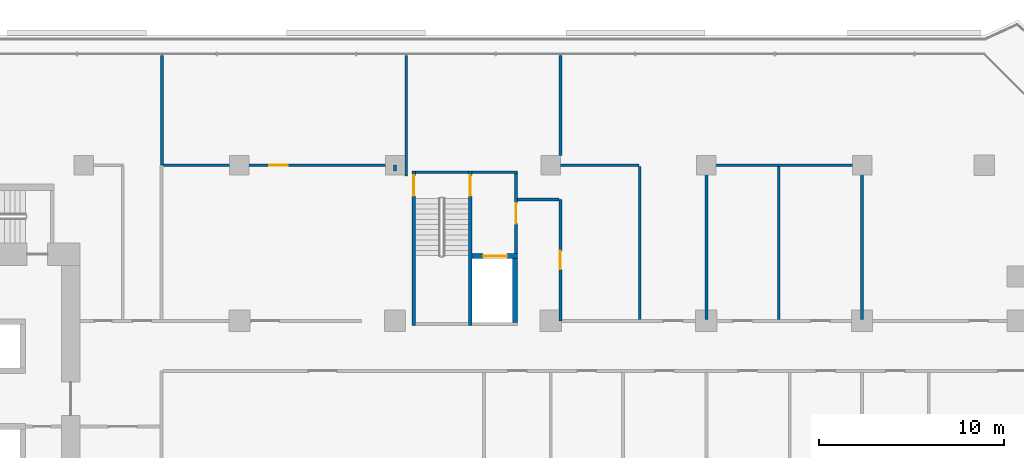
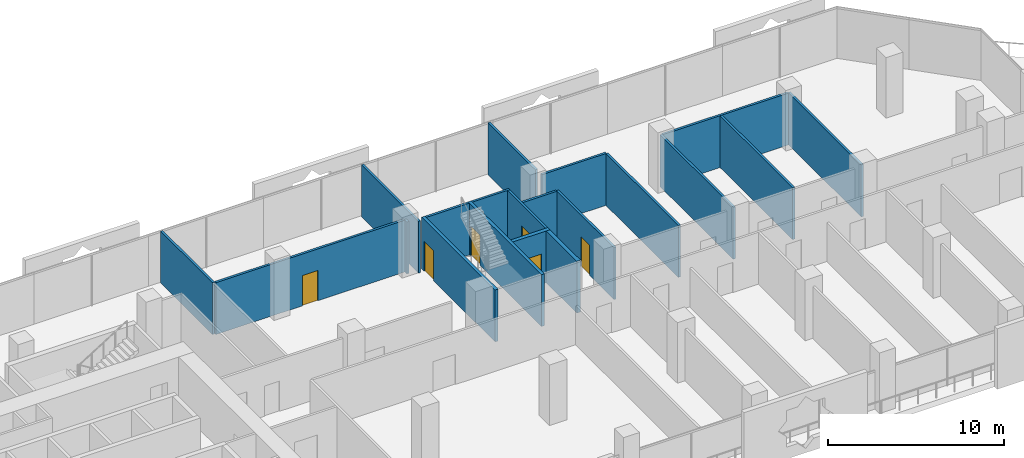
# One storey, part 17 of 25: 20 walls, 6 doors, 6 openings.
"""IFC4 building model written with IfcOpenShell, lengths in metres."""

from ifc_helpers import new_model, si_unit, direction, frame, frame_2d, origin, place, context, subcontext, project, spatial, rectangle, extrude, material, layer, layer_set, type_object, element, fill, save


model = new_model("IFC4")

# Units and contexts
model_context = context("Model", 3, precision=1e-05, world=origin(), true_north=direction((0.0, 1.0)))
body_context = subcontext(model_context, "Body", "Model", "MODEL_VIEW")
ifc_project = project(units=[si_unit("LENGTHUNIT", "METRE"), si_unit("AREAUNIT", "SQUARE_METRE"), si_unit("VOLUMEUNIT", "CUBIC_METRE"), si_unit("PLANEANGLEUNIT", "RADIAN"), si_unit("MASSUNIT", "GRAM", prefix="KILO")], contexts=[model_context])

# Site, building, storey
site_placement = place(None, origin())
site = spatial("IfcSite", under=ifc_project, at=site_placement, CompositionType="ELEMENT")
building_placement = place(site_placement, origin())
building = spatial("IfcBuilding", under=site, at=building_placement, Name="Kawkab Arch Medical Tower", CompositionType="ELEMENT")
storey_placement = place(building_placement, frame((0.0, 0.0, 98.800048828125)))
storey = spatial("IfcBuildingStorey", under=building, at=storey_placement, Name="L22", CompositionType="ELEMENT", Elevation=98.800048828125)

# Wall, opening, door
ifc_material_1 = material(Name="Gypsum board on steel studs", Category="steel")
ifc_layer_1 = layer(ifc_material_1, 0.14990234375)
ifc_layer_set_1 = layer_set([ifc_layer_1], Name="Gypsum board on steel studs")
wall_type_1 = type_object("IfcWallType", Name="Core room partition 150", PredefinedType="PARTITIONING", material=ifc_layer_set_1)
wall_1_placement = place(storey_placement, frame((48.52490234375, -4.77490234375, 0.0), z_axis=(0.0, 0.0, 1.0), x_axis=(0.0, 1.0, 0.0)))
wall_1 = element("IfcWall", 1, at=wall_1_placement, inside=storey, type_object=wall_type_1, Name="L22 core room partition", PredefinedType="PARTITIONING", context=body_context, shape_type="SweptSolid", body=[
    extrude(rectangle(XDim=4.324951171875, YDim=0.14990234375, at=frame_2d((2.16259765625, 0.0))), origin(), (0.0, 0.0, 1.0), 3.599853515625),
])
opening_1_placement = place(wall_1_placement, frame((1.625, 0.0, 0.0)))
opening_1 = element("IfcOpeningElement", 2, at=opening_1_placement, cuts=wall_1, Name="Opening FD", PredefinedType="OPENING", context=body_context, shape_type="SweptSolid", body=[
    extrude(rectangle(XDim=1.10009765625, YDim=2.10009765625, at=frame_2d((0.550048828125, 1.050048828125))), frame((0.0, 0.0849609375, 0.0), z_axis=(0.0, -1.0, 0.0), x_axis=(1.0, 0.0, 0.0)), (0.0, 0.0, 1.0), 0.169921875),
])
ifc_material_2 = material(Name="Hollow metal fire door leaf")
door_type_1 = type_object("IfcDoorType", Name="Firefighting lobby door 1100", OperationType="SINGLE_SWING_LEFT", PredefinedType="DOOR", material=ifc_material_2)
door_1_placement = place(opening_1_placement, origin())
door_1 = element("IfcDoor", 3, at=door_1_placement, inside=storey, type_object=door_type_1, Name="L22 Service lift lobby door SV1", OperationType="SINGLE_SWING_LEFT", OverallHeight=2.10009765625, OverallWidth=1.10009765625, PredefinedType="DOOR", context=body_context, shape_type="SweptSolid", body=[
    extrude(rectangle(XDim=1.10009765625, YDim=2.10009765625, at=frame_2d((0.550048828125, 1.050048828125))), frame((0.0, 0.02490234375, 0.0), z_axis=(0.0, -1.0, 0.0), x_axis=(1.0, 0.0, 0.0)), (0.0, 0.0, 1.0), 0.050048828125),
])
fill(opening_1, door_1)

ifc_material_3 = material(Name="Concrete C60/75", Category="concrete")
ifc_layer_2 = layer(ifc_material_3, 0.25)
ifc_layer_set_2 = layer_set([ifc_layer_2], Name="Concrete C60/75")
wall_type_2 = type_object("IfcWallType", Name="Core shear wall 250 C60/75", PredefinedType="SHEAR", material=ifc_layer_set_2)
wall_2_placement = place(storey_placement, frame((46.14990234375, -4.89990234375, 0.0), z_axis=(0.0, 0.0, 1.0), x_axis=(1.0, 0.0, 0.0)))
wall_2 = element("IfcWall", 4, at=wall_2_placement, inside=storey, type_object=wall_type_2, Name="L22 core shear wall", PredefinedType="SHEAR", context=body_context, shape_type="SweptSolid", body=[
    extrude(rectangle(XDim=2.4501953125, YDim=0.25, at=frame_2d((1.22509765625, 0.0))), origin(), (0.0, 0.0, 1.0), 3.599853515625),
])
opening_2_placement = place(wall_2_placement, frame((0.60009765625, 0.0, 0.0)))
opening_2 = element("IfcOpeningElement", 5, at=opening_2_placement, cuts=wall_2, Name="Opening LD2", PredefinedType="OPENING", context=body_context, shape_type="SweptSolid", body=[
    extrude(rectangle(XDim=1.300048828125, YDim=2.10009765625, at=frame_2d((0.64990234375, 1.050048828125))), frame((0.0, 0.135009765625, 0.0), z_axis=(0.0, -1.0, 0.0), x_axis=(1.0, 0.0, 0.0)), (0.0, 0.0, 1.0), 0.27001953125),
])
ifc_material_4 = material(Name="Stainless steel lift door leaf", Category="steel")
door_type_2 = type_object("IfcDoorType", Name="Lift landing door 1300", OperationType="DOUBLE_DOOR_SLIDING", PredefinedType="DOOR", material=ifc_material_4)
door_2_placement = place(opening_2_placement, origin())
door_2 = element("IfcDoor", 6, at=door_2_placement, inside=storey, type_object=door_type_2, Name="L22 Lift landing door SV1", OperationType="DOUBLE_DOOR_SLIDING", OverallHeight=2.10009765625, OverallWidth=1.300048828125, PredefinedType="DOOR", context=body_context, shape_type="SweptSolid", body=[
    extrude(rectangle(XDim=1.300048828125, YDim=2.10009765625, at=frame_2d((0.64990234375, 1.050048828125))), frame((0.0, 0.02490234375, 0.0), z_axis=(0.0, -1.0, 0.0), x_axis=(1.0, 0.0, 0.0)), (0.0, 0.0, 1.0), 0.050048828125),
])
fill(opening_2, door_2)

# Walls
wall_3_placement = place(storey_placement, frame((48.47509765625, -8.5, 0.0), z_axis=(0.0, 0.0, 1.0), x_axis=(0.0, 1.0, 0.0)))
element("IfcWall", 7, at=wall_3_placement, inside=storey, type_object=wall_type_2, Name="L22 core shear wall", PredefinedType="SHEAR", context=body_context, shape_type="SweptSolid", body=[
    extrude(rectangle(XDim=3.47509765625, YDim=0.25, at=frame_2d((1.737548828125, 0.0))), origin(), (0.0, 0.0, 1.0), 3.599853515625),
])
ifc_material_5 = material(Name="Gypsum board partition on steel studs, mineral wool", Category="steel")
ifc_layer_3 = layer(ifc_material_5, 0.14990234375)
ifc_layer_set_3 = layer_set([ifc_layer_3], Name="Gypsum board partition on steel studs, mineral wool")
wall_type_3 = type_object("IfcWallType", Name="Partition 150", PredefinedType="PARTITIONING", material=ifc_layer_set_3)
wall_4_placement = place(storey_placement, frame((48.60009765625, -1.85009765625, 0.0), z_axis=(0.0, 0.0, 1.0), x_axis=(1.0, 0.0, 0.0)))
element("IfcWall", 8, at=wall_4_placement, inside=storey, type_object=wall_type_3, Name="Partition 150 w016", PredefinedType="PARTITIONING", context=body_context, shape_type="SweptSolid", body=[
    extrude(rectangle(XDim=2.247802734375, YDim=0.14990234375, at=frame_2d((1.1240234375, 0.0))), origin(), (0.0, 0.0, 1.0), 3.599853515625),
])

# Wall, opening, door
wall_5_placement = place(storey_placement, frame((29.514892578125, 0.0, 0.0), z_axis=(0.0, 0.0, 1.0), x_axis=(1.0, 0.0, 0.0)))
wall_5 = element("IfcWall", 9, at=wall_5_placement, inside=storey, type_object=wall_type_3, Name="Partition 150 w018", PredefinedType="PARTITIONING", context=body_context, shape_type="SweptSolid", body=[
    extrude(rectangle(XDim=12.41015625, YDim=0.14990234375, at=frame_2d((6.205078125, 0.0))), origin(), (0.0, 0.0, 1.0), 3.599853515625),
])
opening_3_placement = place(wall_5_placement, frame((5.705078125, 0.0, 0.0)))
opening_3 = element("IfcOpeningElement", 10, at=opening_3_placement, cuts=wall_5, Name="Opening B22-026", PredefinedType="OPENING", context=body_context, shape_type="SweptSolid", body=[
    extrude(rectangle(XDim=1.0, YDim=2.10009765625, at=frame_2d((0.5, 1.050048828125))), frame((0.0, 0.0849609375, 0.0), z_axis=(0.0, -1.0, 0.0), x_axis=(1.0, 0.0, 0.0)), (0.0, 0.0, 1.0), 0.169921875),
])
ifc_material_6 = material(Name="Hollow metal door leaf")
door_type_3 = type_object("IfcDoorType", Name="Single door 1000x2100 FD30S", OperationType="NOTDEFINED", PredefinedType="DOOR", material=ifc_material_6)
door_3_placement = place(opening_3_placement, origin())
door_3 = element("IfcDoor", 11, at=door_3_placement, inside=storey, type_object=door_type_3, Name="Door B22-026", OperationType="SINGLE_SWING_RIGHT", OverallHeight=2.10009765625, OverallWidth=1.0, PredefinedType="DOOR", context=body_context, shape_type="SweptSolid", body=[
    extrude(rectangle(XDim=1.0, YDim=2.10009765625, at=frame_2d((0.5, 1.050048828125))), frame((0.0, 0.02490234375, 0.0), z_axis=(0.0, -1.0, 0.0), x_axis=(1.0, 0.0, 0.0)), (0.0, 0.0, 1.0), 0.050048828125),
])
fill(opening_3, door_3)

# Walls
wall_6_placement = place(storey_placement, frame((50.9208984375, 0.0, 0.0), z_axis=(0.0, 0.0, 1.0), x_axis=(1.0, 0.0, 0.0)))
element("IfcWall", 12, at=wall_6_placement, inside=storey, type_object=wall_type_3, Name="Partition 150 w019", PredefinedType="PARTITIONING", context=body_context, shape_type="SweptSolid", body=[
    extrude(rectangle(XDim=4.239013671875, YDim=0.14990234375, at=frame_2d((2.11962890625, 0.0))), origin(), (0.0, 0.0, 1.0), 3.599853515625),
])
wall_7_placement = place(storey_placement, frame((58.87890625, 0.0, 0.0), z_axis=(0.0, 0.0, 1.0), x_axis=(1.0, 0.0, 0.0)))
element("IfcWall", 13, at=wall_7_placement, inside=storey, type_object=wall_type_3, Name="Partition 150 w020", PredefinedType="PARTITIONING", context=body_context, shape_type="SweptSolid", body=[
    extrude(rectangle(XDim=8.24609375, YDim=0.14990234375, at=frame_2d((4.123046875, 0.0))), origin(), (0.0, 0.0, 1.0), 3.599853515625),
])
wall_8_placement = place(storey_placement, frame((29.419921875, 0.02001953125, 0.0), z_axis=(0.0, 0.0, 1.0), x_axis=(0.0, 1.0, 0.0)))
element("IfcWall", 14, at=wall_8_placement, inside=storey, type_object=wall_type_3, Name="Partition 150 w030", PredefinedType="PARTITIONING", context=body_context, shape_type="SweptSolid", body=[
    extrude(rectangle(XDim=5.89990234375, YDim=0.14990234375, at=frame_2d((2.949951171875, 0.0))), origin(), (0.0, 0.0, 1.0), 3.599853515625),
])
wall_9_placement = place(storey_placement, frame((42.0, -0.300048828125, 0.0), z_axis=(0.0, 0.0, 1.0), x_axis=(0.0, 1.0, 0.0)))
element("IfcWall", 15, at=wall_9_placement, inside=storey, type_object=wall_type_3, Name="Partition 150 w031", PredefinedType="PARTITIONING", context=body_context, shape_type="SweptSolid", body=[
    extrude(rectangle(XDim=0.300048828125, YDim=0.14990234375, at=frame_2d((0.14990234375, 0.0))), origin(), (0.0, 0.0, 1.0), 3.599853515625),
])
wall_10_placement = place(storey_placement, frame((42.60009765625, -0.574951171875, 0.0), z_axis=(0.0, 0.0, 1.0), x_axis=(0.0, 1.0, 0.0)))
element("IfcWall", 16, at=wall_10_placement, inside=storey, type_object=wall_type_3, Name="Partition 150 w032", PredefinedType="PARTITIONING", context=body_context, shape_type="SweptSolid", body=[
    extrude(rectangle(XDim=6.494873046875, YDim=0.14990234375, at=frame_2d((3.24755859375, 0.0))), origin(), (0.0, 0.0, 1.0), 3.599853515625),
])
wall_11_placement = place(storey_placement, frame((50.919921875, 0.52490234375, 0.0), z_axis=(0.0, 0.0, 1.0), x_axis=(0.0, 1.0, 0.0)))
element("IfcWall", 17, at=wall_11_placement, inside=storey, type_object=wall_type_3, Name="Partition 150 w035", PredefinedType="PARTITIONING", context=body_context, shape_type="SweptSolid", body=[
    extrude(rectangle(XDim=5.39501953125, YDim=0.14990234375, at=frame_2d((2.697509765625, 0.0))), origin(), (0.0, 0.0, 1.0), 3.599853515625),
])

# Wall, opening, door
wall_12_placement = place(storey_placement, frame((50.925048828125, -8.39990234375, 0.0), z_axis=(0.0, 0.0, 1.0), x_axis=(0.0, 1.0, 0.0)))
wall_12 = element("IfcWall", 18, at=wall_12_placement, inside=storey, type_object=wall_type_3, Name="Partition 150 w036", PredefinedType="PARTITIONING", context=body_context, shape_type="SweptSolid", body=[
    extrude(rectangle(XDim=6.5478515625, YDim=0.14990234375, at=frame_2d((3.27392578125, 0.0))), origin(), (0.0, 0.0, 1.0), 3.599853515625),
])
opening_4_placement = place(wall_12_placement, frame((2.77392578125, 0.0, 0.0)))
opening_4 = element("IfcOpeningElement", 19, at=opening_4_placement, cuts=wall_12, Name="Opening B22-009", PredefinedType="OPENING", context=body_context, shape_type="SweptSolid", body=[
    extrude(rectangle(XDim=1.0, YDim=2.10009765625, at=frame_2d((0.5, 1.050048828125))), frame((0.0, 0.0849609375, 0.0), z_axis=(0.0, -1.0, 0.0), x_axis=(1.0, 0.0, 0.0)), (0.0, 0.0, 1.0), 0.169921875),
])
door_4_placement = place(opening_4_placement, origin())
door_4 = element("IfcDoor", 20, at=door_4_placement, inside=storey, type_object=door_type_3, Name="Door B22-009", OperationType="SINGLE_SWING_LEFT", OverallHeight=2.10009765625, OverallWidth=1.0, PredefinedType="DOOR", context=body_context, shape_type="SweptSolid", body=[
    extrude(rectangle(XDim=1.0, YDim=2.10009765625, at=frame_2d((0.5, 1.050048828125))), frame((0.0, 0.02490234375, 0.0), z_axis=(0.0, -1.0, 0.0), x_axis=(1.0, 0.0, 0.0)), (0.0, 0.0, 1.0), 0.050048828125),
])
fill(opening_4, door_4)

# Walls
wall_13_placement = place(storey_placement, frame((55.199951171875, -8.324951171875, 0.0), z_axis=(0.0, 0.0, 1.0), x_axis=(0.0, 1.0, 0.0)))
element("IfcWall", 21, at=wall_13_placement, inside=storey, type_object=wall_type_3, Name="Partition 150 w038", PredefinedType="PARTITIONING", context=body_context, shape_type="SweptSolid", body=[
    extrude(rectangle(XDim=8.25, YDim=0.14990234375, at=frame_2d((4.125, 0.0))), origin(), (0.0, 0.0, 1.0), 3.599853515625),
])
wall_14_placement = place(storey_placement, frame((58.800048828125, -8.324951171875, 0.0), z_axis=(0.0, 0.0, 1.0), x_axis=(0.0, 1.0, 0.0)))
element("IfcWall", 22, at=wall_14_placement, inside=storey, type_object=wall_type_3, Name="Partition 150 w040", PredefinedType="PARTITIONING", context=body_context, shape_type="SweptSolid", body=[
    extrude(rectangle(XDim=8.322021484375, YDim=0.14990234375, at=frame_2d((4.1611328125, 0.0))), origin(), (0.0, 0.0, 1.0), 3.599853515625),
])
wall_15_placement = place(storey_placement, frame((62.699951171875, -8.324951171875, 0.0), z_axis=(0.0, 0.0, 1.0), x_axis=(0.0, 1.0, 0.0)))
element("IfcWall", 23, at=wall_15_placement, inside=storey, type_object=wall_type_3, Name="Partition 150 w041", PredefinedType="PARTITIONING", context=body_context, shape_type="SweptSolid", body=[
    extrude(rectangle(XDim=8.25, YDim=0.14990234375, at=frame_2d((4.125, 0.0))), origin(), (0.0, 0.0, 1.0), 3.599853515625),
])
wall_16_placement = place(storey_placement, frame((67.199951171875, -8.324951171875, 0.0), z_axis=(0.0, 0.0, 1.0), x_axis=(0.0, 1.0, 0.0)))
element("IfcWall", 24, at=wall_16_placement, inside=storey, type_object=wall_type_3, Name="Partition 150 w044", PredefinedType="PARTITIONING", context=body_context, shape_type="SweptSolid", body=[
    extrude(rectangle(XDim=8.324951171875, YDim=0.14990234375, at=frame_2d((4.16259765625, 0.0))), origin(), (0.0, 0.0, 1.0), 3.599853515625),
])
ifc_material_7 = material(Name="Concrete C50/60", Category="concrete")
ifc_layer_4 = layer(ifc_material_7, 0.14990234375)
ifc_layer_set_4 = layer_set([ifc_layer_4], Name="Concrete C50/60")
wall_type_4 = type_object("IfcWallType", Name="Stair enclosure wall 150 C50/60", PredefinedType="SHEAR", material=ifc_layer_set_4)
wall_17_placement = place(storey_placement, frame((43.10009765625, -0.375, 0.0), z_axis=(0.0, 0.0, 1.0), x_axis=(1.0, 0.0, 0.0)))
element("IfcWall", 25, at=wall_17_placement, inside=storey, type_object=wall_type_4, Name="L22 stair enclosure wall", PredefinedType="SHEAR", context=body_context, shape_type="SweptSolid", body=[
    extrude(rectangle(XDim=2.849853515625, YDim=0.14990234375, at=frame_2d((1.4248046875, 0.0))), origin(), (0.0, 0.0, 1.0), 3.599853515625),
])
wall_18_placement = place(storey_placement, frame((46.14990234375, -0.375, 0.0), z_axis=(0.0, 0.0, 1.0), x_axis=(1.0, 0.0, 0.0)))
element("IfcWall", 26, at=wall_18_placement, inside=storey, type_object=wall_type_4, Name="L22 stair enclosure wall", PredefinedType="SHEAR", context=body_context, shape_type="SweptSolid", body=[
    extrude(rectangle(XDim=2.4501953125, YDim=0.14990234375, at=frame_2d((1.22509765625, 0.0))), origin(), (0.0, 0.0, 1.0), 3.599853515625),
])

# Wall, opening, door
ifc_material_8 = material(Name="Concrete C50/60", Category="concrete")
ifc_layer_5 = layer(ifc_material_8, 0.199951171875)
ifc_layer_set_5 = layer_set([ifc_layer_5], Name="Concrete C50/60")
wall_type_5 = type_object("IfcWallType", Name="Stair enclosure wall 200 C50/60", PredefinedType="SHEAR", material=ifc_layer_set_5)
wall_19_placement = place(storey_placement, frame((43.0, -8.64990234375, 0.0), z_axis=(0.0, 0.0, 1.0), x_axis=(0.0, 1.0, 0.0)))
wall_19 = element("IfcWall", 27, at=wall_19_placement, inside=storey, type_object=wall_type_5, Name="L22 stair enclosure wall", PredefinedType="SHEAR", context=body_context, shape_type="SweptSolid", body=[
    extrude(rectangle(XDim=8.349853515625, YDim=0.199951171875, at=frame_2d((4.1748046875, 0.0))), origin(), (0.0, 0.0, 1.0), 3.599853515625),
])
opening_5_placement = place(wall_19_placement, frame((7.0, 0.0, 0.0)))
opening_5 = element("IfcOpeningElement", 28, at=opening_5_placement, cuts=wall_19, Name="Opening SD", PredefinedType="OPENING", context=body_context, shape_type="SweptSolid", body=[
    extrude(rectangle(XDim=1.10009765625, YDim=2.10009765625, at=frame_2d((0.550048828125, 1.050048828125))), frame((0.0, 0.10986328125, 0.0), z_axis=(0.0, -1.0, 0.0), x_axis=(1.0, 0.0, 0.0)), (0.0, 0.0, 1.0), 0.219970703125),
])
ifc_material_9 = material(Name="Hollow metal fire door leaf")
door_type_4 = type_object("IfcDoorType", Name="Exit stair door 1100", OperationType="SINGLE_SWING_LEFT", PredefinedType="DOOR", material=ifc_material_9)
door_5_placement = place(opening_5_placement, frame((1.10009765625, 0.0, 0.0), z_axis=(0.0, 0.0, 1.0), x_axis=(-1.0, 0.0, 0.0)))
door_5 = element("IfcDoor", 29, at=door_5_placement, inside=storey, type_object=door_type_4, Name="L22 Exit stair ST5 door", OperationType="SINGLE_SWING_LEFT", OverallHeight=2.10009765625, OverallWidth=1.10009765625, PredefinedType="DOOR", context=body_context, shape_type="SweptSolid", body=[
    extrude(rectangle(XDim=1.10009765625, YDim=2.10009765625, at=frame_2d((0.550048828125, 1.050048828125))), frame((0.0, 0.02490234375, 0.0), z_axis=(0.0, -1.0, 0.0), x_axis=(1.0, 0.0, 0.0)), (0.0, 0.0, 1.0), 0.050048828125),
])
fill(opening_5, door_5)

wall_20_placement = place(storey_placement, frame((46.050048828125, -8.64990234375, 0.0), z_axis=(0.0, 0.0, 1.0), x_axis=(0.0, 1.0, 0.0)))
wall_20 = element("IfcWall", 30, at=wall_20_placement, inside=storey, type_object=wall_type_5, Name="L22 stair enclosure wall", PredefinedType="SHEAR", context=body_context, shape_type="SweptSolid", body=[
    extrude(rectangle(XDim=8.349853515625, YDim=0.199951171875, at=frame_2d((4.1748046875, 0.0))), origin(), (0.0, 0.0, 1.0), 3.599853515625),
])
opening_6_placement = place(wall_20_placement, frame((7.0, 0.0, 0.0)))
opening_6 = element("IfcOpeningElement", 31, at=opening_6_placement, cuts=wall_20, Name="Opening SD", PredefinedType="OPENING", context=body_context, shape_type="SweptSolid", body=[
    extrude(rectangle(XDim=1.10009765625, YDim=2.10009765625, at=frame_2d((0.550048828125, 1.050048828125))), frame((0.0, 0.10986328125, 0.0), z_axis=(0.0, -1.0, 0.0), x_axis=(1.0, 0.0, 0.0)), (0.0, 0.0, 1.0), 0.219970703125),
])
door_6_placement = place(opening_6_placement, origin())
door_6 = element("IfcDoor", 32, at=door_6_placement, inside=storey, type_object=door_type_4, Name="L22 Exit stair ST5 lobby door", OperationType="SINGLE_SWING_LEFT", OverallHeight=2.10009765625, OverallWidth=1.10009765625, PredefinedType="DOOR", context=body_context, shape_type="SweptSolid", body=[
    extrude(rectangle(XDim=1.10009765625, YDim=2.10009765625, at=frame_2d((0.550048828125, 1.050048828125))), frame((0.0, 0.02490234375, 0.0), z_axis=(0.0, -1.0, 0.0), x_axis=(1.0, 0.0, 0.0)), (0.0, 0.0, 1.0), 0.050048828125),
])
fill(opening_6, door_6)

save(model, "model.ifc")
